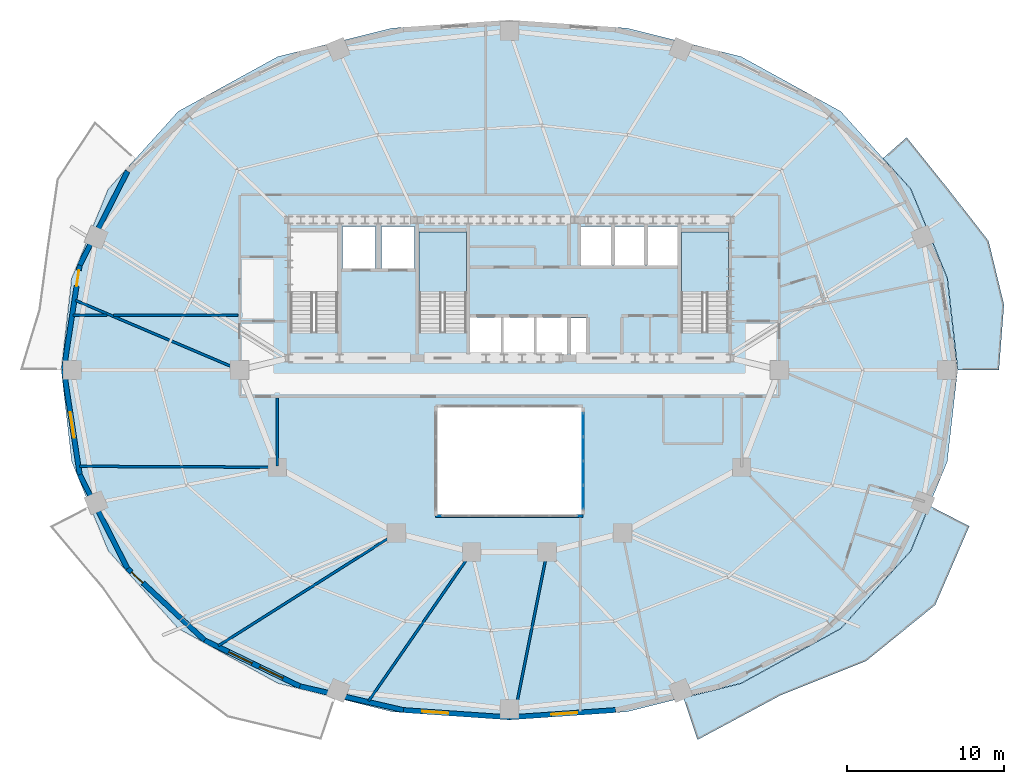
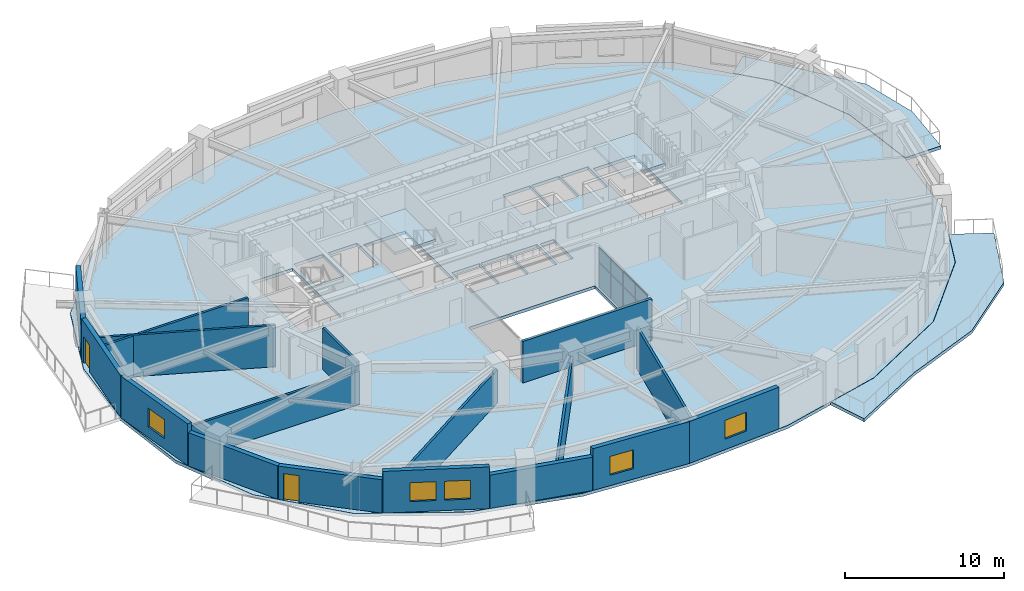
# One storey, part 6 of 12: 18 walls, 8 plates, 5 slabs, 5 windows, 2 doors, 7 openings, 3 elements without a shape of their own.
"""IFC4 building model written with IfcOpenShell, lengths in metres."""

from ifc_helpers import new_model, si_unit, direction, frame, frame_2d, origin, origin_2d, place, context, subcontext, project, spatial, polyline, rectangle, outline, extrude, material, layer, layer_set, type_object, element, fill, aggregate, save


model = new_model("IFC4")

# Units and contexts
model_context = context("Model", 3, precision=1e-05, world=origin(), true_north=direction((0.0, 1.0)))
body_context = subcontext(model_context, "Body", "Model", "MODEL_VIEW")
ifc_project = project(units=[si_unit("LENGTHUNIT", "METRE"), si_unit("AREAUNIT", "SQUARE_METRE"), si_unit("VOLUMEUNIT", "CUBIC_METRE"), si_unit("PLANEANGLEUNIT", "RADIAN"), si_unit("MASSUNIT", "GRAM", prefix="KILO")], contexts=[model_context])

# Site, building, storey
site_placement = place(None, origin())
site = spatial("IfcSite", under=ifc_project, at=site_placement, CompositionType="ELEMENT")
building_placement = place(site_placement, origin())
building = spatial("IfcBuilding", under=site, at=building_placement, Name="Haldorwick Loom Tower", CompositionType="ELEMENT")
storey_placement = place(building_placement, frame((0.0, 0.0, 113.89990234375)))
storey = spatial("IfcBuildingStorey", under=building, at=storey_placement, Name="L30", CompositionType="ELEMENT", Elevation=113.89990234375)

# Curtain wall, plates
ifc_material_1 = material(Name="Thermally Broken Anodized Aluminium Curtain Wall Framing", Category="aluminium")
curtain_wall_type = type_object("IfcCurtainWallType", Name="ARC-CW-03", PredefinedType="NOTDEFINED", material=ifc_material_1)
curtain_wall_placement = place(storey_placement, origin())
curtain_wall = element("IfcCurtainWall", 1, at=curtain_wall_placement, inside=storey, type_object=curtain_wall_type, Name="L30 Atrium Glazed Screen E", PredefinedType="NOTDEFINED")
ifc_material_2 = material(Name="Triple-Glazed Low-E Argon Insulated Glazing Unit", Category="glass")
ifc_layer_1 = layer(ifc_material_2, 0.04296875, Name="Triple-Glazed Low-E Argon Insulated Glazing Unit", Category="glass")
ifc_layer_set_1 = layer_set([ifc_layer_1], Name="Triple-Glazed Low-E Argon Insulated Glazing Unit")
plate_type = type_object("IfcPlateType", Name="ARC-CWP-03", PredefinedType="CURTAIN_PANEL", material=ifc_layer_set_1)
plate_1_placement = place(storey_placement, frame((40.699951171875, 22.508544921875, 0.066162109375), z_axis=(0.0, 0.0, 1.0), x_axis=(0.0, -1.0, 0.0)))
plate_1 = element("IfcPlate", 2, at=plate_1_placement, type_object=plate_type, Name="CW-03 panel 1.1", PredefinedType="CURTAIN_PANEL", context=body_context, shape_type="SweptSolid", body=[
    extrude(rectangle(XDim=1.450927734375, YDim=0.04296875, at=origin_2d()), origin(), (0.0, 0.0, 1.0), 1.90087890625),
])
plate_2_placement = place(storey_placement, frame((40.699951171875, 22.508544921875, 2.033203125), z_axis=(0.0, 0.0, 1.0), x_axis=(0.0, -1.0, 0.0)))
plate_2 = element("IfcPlate", 3, at=plate_2_placement, type_object=plate_type, Name="CW-03 panel 1.2", PredefinedType="CURTAIN_PANEL", context=body_context, shape_type="SweptSolid", body=[
    extrude(rectangle(XDim=1.450927734375, YDim=0.04296875, at=origin_2d()), origin(), (0.0, 0.0, 1.0), 1.111083984375),
])
plate_3_placement = place(storey_placement, frame((40.699951171875, 20.97509765625, 0.066162109375), z_axis=(0.0, 0.0, 1.0), x_axis=(0.0, -1.0, 0.0)))
plate_3 = element("IfcPlate", 4, at=plate_3_placement, type_object=plate_type, Name="CW-03 panel 2.1", PredefinedType="CURTAIN_PANEL", context=body_context, shape_type="SweptSolid", body=[
    extrude(rectangle(XDim=1.48388671875, YDim=0.04296875, at=origin_2d()), origin(), (0.0, 0.0, 1.0), 1.90087890625),
])
plate_4_placement = place(storey_placement, frame((40.699951171875, 20.97509765625, 2.033203125), z_axis=(0.0, 0.0, 1.0), x_axis=(0.0, -1.0, 0.0)))
plate_4 = element("IfcPlate", 5, at=plate_4_placement, type_object=plate_type, Name="CW-03 panel 2.2", PredefinedType="CURTAIN_PANEL", context=body_context, shape_type="SweptSolid", body=[
    extrude(rectangle(XDim=1.48388671875, YDim=0.04296875, at=origin_2d()), origin(), (0.0, 0.0, 1.0), 1.111083984375),
])
plate_5_placement = place(storey_placement, frame((40.699951171875, 19.425048828125, 0.066162109375), z_axis=(0.0, 0.0, 1.0), x_axis=(0.0, -1.0, 0.0)))
plate_5 = element("IfcPlate", 6, at=plate_5_placement, type_object=plate_type, Name="CW-03 panel 3.1", PredefinedType="CURTAIN_PANEL", context=body_context, shape_type="SweptSolid", body=[
    extrude(rectangle(XDim=1.48388671875, YDim=0.04296875, at=origin_2d()), origin(), (0.0, 0.0, 1.0), 1.90087890625),
])
plate_6_placement = place(storey_placement, frame((40.699951171875, 19.425048828125, 2.033203125), z_axis=(0.0, 0.0, 1.0), x_axis=(0.0, -1.0, 0.0)))
plate_6 = element("IfcPlate", 7, at=plate_6_placement, type_object=plate_type, Name="CW-03 panel 3.2", PredefinedType="CURTAIN_PANEL", context=body_context, shape_type="SweptSolid", body=[
    extrude(rectangle(XDim=1.48388671875, YDim=0.04296875, at=origin_2d()), origin(), (0.0, 0.0, 1.0), 1.111083984375),
])
plate_7_placement = place(storey_placement, frame((40.699951171875, 17.8916015625, 0.066162109375), z_axis=(0.0, 0.0, 1.0), x_axis=(0.0, -1.0, 0.0)))
plate_7 = element("IfcPlate", 8, at=plate_7_placement, type_object=plate_type, Name="CW-03 panel 4.1", PredefinedType="CURTAIN_PANEL", context=body_context, shape_type="SweptSolid", body=[
    extrude(rectangle(XDim=1.450927734375, YDim=0.04296875, at=origin_2d()), origin(), (0.0, 0.0, 1.0), 1.90087890625),
])
plate_8_placement = place(storey_placement, frame((40.699951171875, 17.8916015625, 2.033203125), z_axis=(0.0, 0.0, 1.0), x_axis=(0.0, -1.0, 0.0)))
plate_8 = element("IfcPlate", 9, at=plate_8_placement, type_object=plate_type, Name="CW-03 panel 4.2", PredefinedType="CURTAIN_PANEL", context=body_context, shape_type="SweptSolid", body=[
    extrude(rectangle(XDim=1.450927734375, YDim=0.04296875, at=origin_2d()), origin(), (0.0, 0.0, 1.0), 1.111083984375),
])
aggregate(curtain_wall, [plate_1, plate_2, plate_3, plate_4, plate_5, plate_6, plate_7, plate_8])

# Slabs
ifc_material_3 = material(Name="Concrete C40 (40 MPa)", Category="concrete")
ifc_layer_2 = layer(ifc_material_3, 0.239990234375, Name="Concrete C40 (40 MPa)", Category="concrete")
ifc_layer_set_2 = layer_set([ifc_layer_2], Name="Concrete C40 (40 MPa)")
slab_type_1 = type_object("IfcSlabType", Name="STR-SLB-BAL240", PredefinedType="FLOOR", material=ifc_layer_set_2)
slab_1_placement = place(storey_placement, frame((0.0, 0.0, -0.239990234375)))
element("IfcSlab", 10, at=slab_1_placement, inside=storey, type_object=slab_type_1, Name="L30 Sinusoidal Balcony Terrace BAL_SE", PredefinedType="FLOOR", context=body_context, shape_type="SweptSolid", body=[
    extrude(outline(polyline([(62.758544921875, 17.348388671875), (61.580078125, 14.468994140625), (61.579345703125, 14.4677734375), (61.578857421875, 14.466552734375), (61.578125, 14.465576171875), (61.5771484375, 14.464599609375), (57.11279296875, 9.51318359375), (57.11181640625, 9.51220703125), (57.1103515625, 9.510986328125), (57.10888671875, 9.51025390625), (50.767822265625, 6.0244140625), (50.7666015625, 6.023681640625), (50.765380859375, 6.023193359375), (50.76416015625, 6.022705078125), (47.0869140625, 5.105224609375), (47.983642578125, 2.43310546875), (53.252197265625, 5.258056640625), (58.720458984375, 7.4501953125), (63.1259765625, 11.02294921875), (65.300537109375, 16.042236328125), (62.758544921875, 17.348388671875)])), origin(), (0.0, 0.0, 1.0), 0.239990234375),
])
slab_2_placement = place(storey_placement, frame((0.0, 0.0, -0.239990234375)))
element("IfcSlab", 11, at=slab_2_placement, inside=storey, type_object=slab_type_1, Name="L30 Sinusoidal Balcony Terrace BAL_ENE", PredefinedType="FLOOR", context=body_context, shape_type="SweptSolid", body=[
    extrude(outline(polyline([(59.814208984375, 39.490966796875), (61.5771484375, 37.535400390625), (61.578125, 37.534423828125), (61.578857421875, 37.533447265625), (61.579345703125, 37.5322265625), (61.580078125, 37.531005859375), (63.90869140625, 31.841796875), (63.9091796875, 31.840576171875), (63.909423828125, 31.83935546875), (63.90966796875, 31.837890625), (64.572509765625, 26.001708984375), (64.572509765625, 26.0), (67.1875, 26.0), (67.51220703125, 30.1494140625), (66.52587890625, 34.22265625), (63.92919921875, 37.553466796875), (61.3076171875, 40.816162109375), (59.814208984375, 39.490966796875)])), origin(), (0.0, 0.0, 1.0), 0.239990234375),
])

# Stair, slab
stair_type = type_object("IfcStairType", Name="STR-STR-CORE", PredefinedType="HALF_TURN_STAIR", material=ifc_material_3)
stair_1_placement = place(storey_placement, origin())
stair_1 = element("IfcStair", 12, at=stair_1_placement, inside=storey, type_object=stair_type, Name="L30 Exit Stair ST-02", PredefinedType="HALF_TURN_STAIR")
ifc_layer_3 = layer(ifc_material_3, 0.199951171875, Name="Concrete C40 (40 MPa)", Category="concrete")
ifc_layer_set_3 = layer_set([ifc_layer_3], Name="Concrete C40 (40 MPa)")
slab_type_2 = type_object("IfcSlabType", Name="STR-SLB-LAND200", PredefinedType="LANDING", material=ifc_layer_set_3)
slab_3_placement = place(storey_placement, frame((0.0, 0.0, 1.525146484375)))
slab_3 = element("IfcSlab", 13, at=slab_3_placement, type_object=slab_type_2, Name="ST-02 landing 1", PredefinedType="LANDING", context=body_context, shape_type="SweptSolid", body=[
    extrude(outline(polyline([(49.949951171875, 30.919921875), (49.949951171875, 34.800048828125), (46.949951171875, 34.800048828125), (46.949951171875, 30.919921875), (49.949951171875, 30.919921875)])), origin(), (0.0, 0.0, 1.0), 0.199951171875),
])
aggregate(stair_1, [slab_3])

stair_2_placement = place(storey_placement, origin())
stair_2 = element("IfcStair", 14, at=stair_2_placement, inside=storey, type_object=stair_type, Name="L30 Exit Stair ST-03", PredefinedType="HALF_TURN_STAIR")
slab_4_placement = place(storey_placement, frame((0.0, 0.0, 1.525146484375)))
slab_4 = element("IfcSlab", 15, at=slab_4_placement, type_object=slab_type_2, Name="ST-03 landing 1", PredefinedType="LANDING", context=body_context, shape_type="SweptSolid", body=[
    extrude(outline(polyline([(33.25, 30.919921875), (33.25, 34.800048828125), (30.25, 34.800048828125), (30.25, 30.919921875), (33.25, 30.919921875)])), origin(), (0.0, 0.0, 1.0), 0.199951171875),
])
aggregate(stair_2, [slab_4])

# Slab
ifc_layer_4 = layer(ifc_material_3, 0.239990234375, Name="Concrete C40 (40 MPa)", Category="concrete")
ifc_layer_set_4 = layer_set([ifc_layer_4], Name="Concrete C40 (40 MPa)")
slab_type_3 = type_object("IfcSlabType", Name="STR-SLB-RES240", PredefinedType="FLOOR", material=ifc_layer_set_4)
slab_5_placement = place(storey_placement, frame((0.0, 0.0, -0.239990234375)))
element("IfcSlab", 16, at=slab_5_placement, inside=storey, type_object=slab_type_3, Name="L30 Residential Structural Floor Slab", PredefinedType="FLOOR", context=body_context, shape_type="SweptSolid", body=[
    extrude(outline(polyline([(57.101806640625, 9.523193359375), (61.566162109375, 14.474609375), (63.894775390625, 20.163818359375), (64.5576171875, 26.0), (63.894775390625, 31.836181640625), (61.566162109375, 37.525390625), (57.101806640625, 42.476806640625), (50.760498046875, 45.962646484375), (43.474365234375, 47.781005859375), (36.0, 48.29833984375), (28.525634765625, 47.781005859375), (21.239501953125, 45.962646484375), (14.898193359375, 42.476806640625), (10.433837890625, 37.525390625), (8.105224609375, 31.836181640625), (7.4423828125, 26.0), (8.105224609375, 20.163818359375), (10.433837890625, 14.474609375), (14.898193359375, 9.523193359375), (21.239501953125, 6.037353515625), (28.525634765625, 4.218994140625), (36.0, 3.70166015625), (43.474365234375, 4.218994140625), (50.760498046875, 6.037353515625), (57.101806640625, 9.523193359375)]), holes=[polyline([(31.39990234375, 16.800048828125), (31.39990234375, 23.60009765625), (40.60009765625, 23.60009765625), (40.60009765625, 16.800048828125), (31.39990234375, 16.800048828125)]), polyline([(33.5, 26.85009765625), (33.5, 29.35009765625), (35.5, 29.35009765625), (35.5, 26.85009765625), (33.5, 26.85009765625)]), polyline([(35.60009765625, 26.85009765625), (35.60009765625, 29.35009765625), (37.60009765625, 29.35009765625), (37.60009765625, 26.85009765625), (35.60009765625, 26.85009765625)]), polyline([(23.6201171875, 28.39990234375), (22.050048828125, 28.39990234375), (22.050048828125, 34.800048828125), (25.050048828125, 34.800048828125), (25.050048828125, 28.639892578125), (23.6201171875, 28.639892578125), (23.6201171875, 28.39990234375)]), polyline([(30.25, 28.39990234375), (30.25, 34.800048828125), (33.25, 34.800048828125), (33.25, 28.639892578125), (31.820068359375, 28.639892578125), (31.820068359375, 28.39990234375), (30.25, 28.39990234375)]), polyline([(25.35009765625, 32.449951171875), (25.35009765625, 35.14990234375), (27.449951171875, 35.14990234375), (27.449951171875, 32.449951171875), (25.35009765625, 32.449951171875)]), polyline([(29.949951171875, 32.449951171875), (27.85009765625, 32.449951171875), (27.85009765625, 35.14990234375), (29.949951171875, 35.14990234375), (29.949951171875, 32.449951171875)]), polyline([(37.699951171875, 26.85009765625), (37.699951171875, 29.35009765625), (39.699951171875, 29.35009765625), (39.699951171875, 26.85009765625), (37.699951171875, 26.85009765625)]), polyline([(39.89990234375, 26.89990234375), (39.89990234375, 29.300048828125), (40.89990234375, 29.300048828125), (40.89990234375, 26.89990234375), (39.89990234375, 26.89990234375)]), polyline([(46.949951171875, 28.39990234375), (46.949951171875, 34.800048828125), (49.949951171875, 34.800048828125), (49.949951171875, 28.639892578125), (48.52001953125, 28.639892578125), (48.52001953125, 28.39990234375), (46.949951171875, 28.39990234375)]), polyline([(40.550048828125, 32.64990234375), (40.550048828125, 35.14990234375), (42.550048828125, 35.14990234375), (42.550048828125, 32.64990234375), (40.550048828125, 32.64990234375)]), polyline([(42.64990234375, 32.64990234375), (42.64990234375, 35.14990234375), (44.64990234375, 35.14990234375), (44.64990234375, 32.64990234375), (42.64990234375, 32.64990234375)]), polyline([(44.75, 32.64990234375), (44.75, 35.14990234375), (46.75, 35.14990234375), (46.75, 32.64990234375), (44.75, 32.64990234375)])]), origin(), (0.0, 0.0, 1.0), 0.239990234375),
])

# Wall
ifc_material_4 = material(Name="Pressed Clay Face Brick and Insulated Masonry Backup Assembly", Category="masonry")
ifc_layer_5 = layer(ifc_material_4, 0.320068359375, Name="Pressed Clay Face Brick and Insulated Masonry Backup Assembly", Category="masonry")
ifc_layer_set_5 = layer_set([ifc_layer_5], Name="Pressed Clay Face Brick and Insulated Masonry Backup Assembly")
wall_type_1 = type_object("IfcWallType", Name="ARC-WL-EXT320", PredefinedType="STANDARD", material=ifc_layer_set_5)
wall_1_placement = place(storey_placement, frame((11.661376953125, 38.655517578125, 0.0), z_axis=(0.0, 0.0, 1.0), x_axis=(-0.453374078001, -0.89132033826, 0.0)))
element("IfcWall", 17, at=wall_1_placement, inside=storey, type_object=wall_type_1, Name="L30 Brick Pier and Spandrel Wall 11", PredefinedType="STANDARD", context=body_context, shape_type="SweptSolid", body=[
    extrude(rectangle(XDim=6.709716796875, YDim=0.320068359375, at=frame_2d((3.35498046875, 0.0))), origin(), (0.0, 0.0, 1.0), 2.569091796875),
])

# Wall, opening, door
wall_2_placement = place(storey_placement, frame((8.619384765625, 32.675048828125, 0.0), z_axis=(0.0, 0.0, 1.0), x_axis=(-0.150633288003, -0.988589708901, 0.0)))
wall_2 = element("IfcWall", 18, at=wall_2_placement, inside=storey, type_object=wall_type_1, Name="L30 Brick Pier and Spandrel Wall 12", PredefinedType="STANDARD", context=body_context, shape_type="SweptSolid", body=[
    extrude(rectangle(XDim=6.752197265625, YDim=0.320068359375, at=frame_2d((3.3759765625, 0.0))), origin(), (0.0, 0.0, 1.0), 3.210205078125),
])
opening_1_placement = place(wall_2_placement, frame((0.340087890625, 0.0, 0.0)))
opening_1 = element("IfcOpeningElement", 19, at=opening_1_placement, cuts=wall_2, Name="Opening D-BL10", PredefinedType="OPENING", context=body_context, shape_type="SweptSolid", body=[
    extrude(rectangle(XDim=1.0, YDim=2.0400390625, at=frame_2d((0.5, 1.02001953125))), frame((0.0, 0.169921875, 0.0), z_axis=(0.0, -1.0, 0.0), x_axis=(1.0, 0.0, 0.0)), (0.0, 0.0, 1.0), 0.340087890625),
])
door_type = type_object("IfcDoorType", Name="ARC-DR-BAL100", OperationType="NOTDEFINED", PredefinedType="DOOR", material=ifc_material_1)
door_1_placement = place(opening_1_placement, origin())
door_1 = element("IfcDoor", 20, at=door_1_placement, inside=storey, type_object=door_type, Name="L30 Outdoor Terrace Door SLB-L30-BAL_WNW", OperationType="SINGLE_SWING_RIGHT", OverallHeight=2.0400390625, OverallWidth=1.0, PredefinedType="DOOR", context=body_context, shape_type="SweptSolid", body=[
    extrude(rectangle(XDim=1.0, YDim=2.0400390625, at=frame_2d((0.5, 1.02001953125))), frame((0.0, 0.02490234375, 0.0), z_axis=(0.0, -1.0, 0.0), x_axis=(1.0, 0.0, 0.0)), (0.0, 0.0, 1.0), 0.050048828125),
])
fill(opening_1, door_1)

# Wall, opening, window
wall_3_placement = place(storey_placement, frame((7.602294921875, 26.0, 0.0), z_axis=(0.0, 0.0, 1.0), x_axis=(0.150633288003, -0.988589708901, 0.0)))
wall_3 = element("IfcWall", 21, at=wall_3_placement, inside=storey, type_object=wall_type_1, Name="L30 Brick Pier and Spandrel Wall 13", PredefinedType="STANDARD", context=body_context, shape_type="SweptSolid", body=[
    extrude(rectangle(XDim=6.752197265625, YDim=0.320068359375, at=frame_2d((3.3759765625, 0.0))), origin(), (0.0, 0.0, 1.0), 3.210205078125),
])
opening_2_placement = place(wall_3_placement, frame((2.730224609375, 0.0, 0.800048828125)))
opening_2 = element("IfcOpeningElement", 22, at=opening_2_placement, cuts=wall_3, Name="Opening W-01B", PredefinedType="OPENING", context=body_context, shape_type="SweptSolid", body=[
    extrude(rectangle(XDim=1.64990234375, YDim=1.449951171875, at=frame_2d((0.824951171875, 0.72509765625))), frame((0.0, 0.169921875, 0.0), z_axis=(0.0, -1.0, 0.0), x_axis=(1.0, 0.0, 0.0)), (0.0, 0.0, 1.0), 0.340087890625),
])
window_type = type_object("IfcWindowType", Name="ARC-WIN-W165", PartitioningType="SINGLE_PANEL", PredefinedType="WINDOW", material=ifc_material_2)
window_1_placement = place(opening_2_placement, origin())
window_1 = element("IfcWindow", 23, at=window_1_placement, inside=storey, type_object=window_type, Name="L30 Deep-Set Zone 7A Window 13", OverallHeight=1.449951171875, OverallWidth=1.64990234375, PartitioningType="SINGLE_PANEL", PredefinedType="WINDOW", context=body_context, shape_type="SweptSolid", body=[
    extrude(rectangle(XDim=1.64990234375, YDim=1.449951171875, at=frame_2d((0.824951171875, 0.72509765625))), frame((0.0, 0.030029296875, 0.0), z_axis=(0.0, -1.0, 0.0), x_axis=(1.0, 0.0, 0.0)), (0.0, 0.0, 1.0), 0.06005859375),
])
fill(opening_2, window_1)

# Wall
wall_4_placement = place(storey_placement, frame((8.619384765625, 19.324951171875, 0.0), z_axis=(0.0, 0.0, 1.0), x_axis=(0.453374078001, -0.89132033826, 0.0)))
element("IfcWall", 24, at=wall_4_placement, inside=storey, type_object=wall_type_1, Name="L30 Brick Pier and Spandrel Wall 14", PredefinedType="STANDARD", context=body_context, shape_type="SweptSolid", body=[
    extrude(rectangle(XDim=6.709716796875, YDim=0.320068359375, at=frame_2d((3.35498046875, 0.0))), origin(), (0.0, 0.0, 1.0), 2.569091796875),
])

# Wall, opening, door
wall_5_placement = place(storey_placement, frame((11.661376953125, 13.344482421875, 0.0), z_axis=(0.0, 0.0, 1.0), x_axis=(0.732137360086, -0.681157020052, 0.0)))
wall_5 = element("IfcWall", 25, at=wall_5_placement, inside=storey, type_object=wall_type_1, Name="L30 Brick Pier and Spandrel Wall 15", PredefinedType="STANDARD", context=body_context, shape_type="SweptSolid", body=[
    extrude(rectangle(XDim=6.709228515625, YDim=0.320068359375, at=frame_2d((3.3544921875, 0.0))), origin(), (0.0, 0.0, 1.0), 2.569091796875),
])
opening_3_placement = place(wall_5_placement, frame((0.340087890625, 0.0, 0.0)))
opening_3 = element("IfcOpeningElement", 26, at=opening_3_placement, cuts=wall_5, Name="Opening D-BL10", PredefinedType="OPENING", context=body_context, shape_type="SweptSolid", body=[
    extrude(rectangle(XDim=1.0, YDim=2.0400390625, at=frame_2d((0.5, 1.02001953125))), frame((0.0, 0.169921875, 0.0), z_axis=(0.0, -1.0, 0.0), x_axis=(1.0, 0.0, 0.0)), (0.0, 0.0, 1.0), 0.340087890625),
])
door_2_placement = place(opening_3_placement, origin())
door_2 = element("IfcDoor", 27, at=door_2_placement, inside=storey, type_object=door_type, Name="L30 Outdoor Terrace Door SLB-L30-BAL_SW", OperationType="SINGLE_SWING_LEFT", OverallHeight=2.0400390625, OverallWidth=1.0, PredefinedType="DOOR", context=body_context, shape_type="SweptSolid", body=[
    extrude(rectangle(XDim=1.0, YDim=2.0400390625, at=frame_2d((0.5, 1.02001953125))), frame((0.0, 0.02490234375, 0.0), z_axis=(0.0, -1.0, 0.0), x_axis=(1.0, 0.0, 0.0)), (0.0, 0.0, 1.0), 0.050048828125),
])
fill(opening_3, door_2)

# Wall, openings, windows
wall_6_placement = place(storey_placement, frame((16.573486328125, 8.7744140625, 0.0), z_axis=(0.0, 0.0, 1.0), x_axis=(0.900510094661, -0.434835106004, 0.0)))
wall_6 = element("IfcWall", 28, at=wall_6_placement, inside=storey, type_object=wall_type_1, Name="L30 Brick Pier and Spandrel Wall 16", PredefinedType="STANDARD", context=body_context, shape_type="SweptSolid", body=[
    extrude(rectangle(XDim=6.744873046875, YDim=0.320068359375, at=frame_2d((3.37255859375, 0.0))), origin(), (0.0, 0.0, 1.0), 3.210205078125),
])
opening_4_placement = place(wall_6_placement, frame((1.712158203125, 0.0, 0.800048828125)))
opening_4 = element("IfcOpeningElement", 29, at=opening_4_placement, cuts=wall_6, Name="Opening W-01B", PredefinedType="OPENING", context=body_context, shape_type="SweptSolid", body=[
    extrude(rectangle(XDim=1.64990234375, YDim=1.449951171875, at=frame_2d((0.824951171875, 0.72509765625))), frame((0.0, 0.169921875, 0.0), z_axis=(0.0, -1.0, 0.0), x_axis=(1.0, 0.0, 0.0)), (0.0, 0.0, 1.0), 0.340087890625),
])
opening_5_placement = place(wall_6_placement, frame((3.896484375, 0.0, 0.800048828125)))
opening_5 = element("IfcOpeningElement", 30, at=opening_5_placement, cuts=wall_6, Name="Opening W-01B", PredefinedType="OPENING", context=body_context, shape_type="SweptSolid", body=[
    extrude(rectangle(XDim=1.64990234375, YDim=1.449951171875, at=frame_2d((0.824951171875, 0.72509765625))), frame((0.0, 0.169921875, 0.0), z_axis=(0.0, -1.0, 0.0), x_axis=(1.0, 0.0, 0.0)), (0.0, 0.0, 1.0), 0.340087890625),
])
window_2_placement = place(opening_4_placement, origin())
window_2 = element("IfcWindow", 31, at=window_2_placement, inside=storey, type_object=window_type, Name="L30 Deep-Set Zone 7A Window 16", OverallHeight=1.449951171875, OverallWidth=1.64990234375, PartitioningType="SINGLE_PANEL", PredefinedType="WINDOW", context=body_context, shape_type="SweptSolid", body=[
    extrude(rectangle(XDim=1.64990234375, YDim=1.449951171875, at=frame_2d((0.824951171875, 0.72509765625))), frame((0.0, 0.030029296875, 0.0), z_axis=(0.0, -1.0, 0.0), x_axis=(1.0, 0.0, 0.0)), (0.0, 0.0, 1.0), 0.06005859375),
])
fill(opening_4, window_2)
window_3_placement = place(opening_5_placement, origin())
window_3 = element("IfcWindow", 32, at=window_3_placement, inside=storey, type_object=window_type, Name="L30 Deep-Set Zone 7A Window 16", OverallHeight=1.449951171875, OverallWidth=1.64990234375, PartitioningType="SINGLE_PANEL", PredefinedType="WINDOW", context=body_context, shape_type="SweptSolid", body=[
    extrude(rectangle(XDim=1.64990234375, YDim=1.449951171875, at=frame_2d((0.824951171875, 0.72509765625))), frame((0.0, 0.030029296875, 0.0), z_axis=(0.0, -1.0, 0.0), x_axis=(1.0, 0.0, 0.0)), (0.0, 0.0, 1.0), 0.06005859375),
])
fill(opening_5, window_3)

# Wall
wall_7_placement = place(storey_placement, frame((22.647216796875, 5.841552734375, 0.0), z_axis=(0.0, 0.0, 1.0), x_axis=(0.974584177714, -0.224021607329, 0.0)))
element("IfcWall", 33, at=wall_7_placement, inside=storey, type_object=wall_type_1, Name="L30 Brick Pier and Spandrel Wall 17", PredefinedType="STANDARD", context=body_context, shape_type="SweptSolid", body=[
    extrude(rectangle(XDim=6.767822265625, YDim=0.320068359375, at=frame_2d((3.3837890625, 0.0))), origin(), (0.0, 0.0, 1.0), 2.569091796875),
])

# Wall, opening, window
wall_8_placement = place(storey_placement, frame((29.242919921875, 4.325439453125, 0.0), z_axis=(0.0, 0.0, 1.0), x_axis=(0.997651949344, -0.068487867318, 0.0)))
wall_8 = element("IfcWall", 34, at=wall_8_placement, inside=storey, type_object=wall_type_1, Name="L30 Brick Pier and Spandrel Wall 18", PredefinedType="STANDARD", context=body_context, shape_type="SweptSolid", body=[
    extrude(rectangle(XDim=6.77294921875, YDim=0.320068359375, at=frame_2d((3.386474609375, 0.0))), origin(), (0.0, 0.0, 1.0), 3.210205078125),
])
opening_6_placement = place(wall_8_placement, frame((1.206787109375, 0.0, 0.800048828125)))
opening_6 = element("IfcOpeningElement", 35, at=opening_6_placement, cuts=wall_8, Name="Opening W-01B", PredefinedType="OPENING", context=body_context, shape_type="SweptSolid", body=[
    extrude(rectangle(XDim=1.64990234375, YDim=1.449951171875, at=frame_2d((0.824951171875, 0.72509765625))), frame((0.0, 0.169921875, 0.0), z_axis=(0.0, -1.0, 0.0), x_axis=(1.0, 0.0, 0.0)), (0.0, 0.0, 1.0), 0.340087890625),
])
window_4_placement = place(opening_6_placement, origin())
window_4 = element("IfcWindow", 36, at=window_4_placement, inside=storey, type_object=window_type, Name="L30 Deep-Set Zone 7A Window 18", OverallHeight=1.449951171875, OverallWidth=1.64990234375, PartitioningType="SINGLE_PANEL", PredefinedType="WINDOW", context=body_context, shape_type="SweptSolid", body=[
    extrude(rectangle(XDim=1.64990234375, YDim=1.449951171875, at=frame_2d((0.824951171875, 0.72509765625))), frame((0.0, 0.030029296875, 0.0), z_axis=(0.0, -1.0, 0.0), x_axis=(1.0, 0.0, 0.0)), (0.0, 0.0, 1.0), 0.06005859375),
])
fill(opening_6, window_4)

wall_9_placement = place(storey_placement, frame((36.0, 3.861572265625, 0.0), z_axis=(0.0, 0.0, 1.0), x_axis=(0.997651949344, 0.068487867318, 0.0)))
wall_9 = element("IfcWall", 37, at=wall_9_placement, inside=storey, type_object=wall_type_1, Name="L30 Brick Pier and Spandrel Wall 19", PredefinedType="STANDARD", context=body_context, shape_type="SweptSolid", body=[
    extrude(rectangle(XDim=6.77294921875, YDim=0.320068359375, at=frame_2d((3.386474609375, 0.0))), origin(), (0.0, 0.0, 1.0), 3.210205078125),
])
opening_7_placement = place(wall_9_placement, frame((2.681640625, 0.0, 0.800048828125)))
opening_7 = element("IfcOpeningElement", 38, at=opening_7_placement, cuts=wall_9, Name="Opening W-01B", PredefinedType="OPENING", context=body_context, shape_type="SweptSolid", body=[
    extrude(rectangle(XDim=1.64990234375, YDim=1.449951171875, at=frame_2d((0.824951171875, 0.72509765625))), frame((0.0, 0.169921875, 0.0), z_axis=(0.0, -1.0, 0.0), x_axis=(1.0, 0.0, 0.0)), (0.0, 0.0, 1.0), 0.340087890625),
])
window_5_placement = place(opening_7_placement, origin())
window_5 = element("IfcWindow", 39, at=window_5_placement, inside=storey, type_object=window_type, Name="L30 Deep-Set Zone 7A Window 19", OverallHeight=1.449951171875, OverallWidth=1.64990234375, PartitioningType="SINGLE_PANEL", PredefinedType="WINDOW", context=body_context, shape_type="SweptSolid", body=[
    extrude(rectangle(XDim=1.64990234375, YDim=1.449951171875, at=frame_2d((0.824951171875, 0.72509765625))), frame((0.0, 0.030029296875, 0.0), z_axis=(0.0, -1.0, 0.0), x_axis=(1.0, 0.0, 0.0)), (0.0, 0.0, 1.0), 0.06005859375),
])
fill(opening_7, window_5)

# Walls
ifc_material_5 = material(Name="Fire-Rated Type X Gypsum Stud Assembly EI 60")
ifc_layer_6 = layer(ifc_material_5, 0.159912109375, Name="Fire-Rated Type X Gypsum Stud Assembly EI 60")
ifc_layer_set_6 = layer_set([ifc_layer_6], Name="Fire-Rated Type X Gypsum Stud Assembly EI 60")
wall_type_2 = type_object("IfcWallType", Name="ARC-WL-FIRE160", PredefinedType="PARTITIONING", material=ifc_layer_set_6)
wall_10_placement = place(storey_placement, frame((38.39990234375, 14.39990234375, 0.0), z_axis=(0.0, 0.0, 1.0), x_axis=(-0.196111730348, -0.980581556639, 0.0)))
element("IfcWall", 40, at=wall_10_placement, inside=storey, type_object=wall_type_2, Name="L30 Residential Fire Partition L30-ICR-07", PredefinedType="PARTITIONING", context=body_context, shape_type="SweptSolid", body=[
    extrude(rectangle(XDim=10.658935546875, YDim=0.159912109375, at=frame_2d((5.32958984375, 0.0))), origin(), (0.0, 0.0, 1.0), 3.195068359375),
])
wall_11_placement = place(storey_placement, frame((33.60009765625, 14.39990234375, 0.0), z_axis=(0.0, 0.0, 1.0), x_axis=(-0.569145134798, -0.822237079884, 0.0)))
element("IfcWall", 41, at=wall_11_placement, inside=storey, type_object=wall_type_2, Name="L30 Residential Fire Partition L30-ICR-09", PredefinedType="PARTITIONING", context=body_context, shape_type="SweptSolid", body=[
    extrude(rectangle(XDim=11.551513671875, YDim=0.159912109375, at=frame_2d((5.77587890625, 0.0))), origin(), (0.0, 0.0, 1.0), 2.568115234375),
])
wall_12_placement = place(storey_placement, frame((28.800048828125, 15.60009765625, 0.0), z_axis=(0.0, 0.0, 1.0), x_axis=(-0.845215765485, -0.53442521439, 0.0)))
element("IfcWall", 42, at=wall_12_placement, inside=storey, type_object=wall_type_2, Name="L30 Residential Fire Partition L30-ICR-11", PredefinedType="PARTITIONING", context=body_context, shape_type="SweptSolid", body=[
    extrude(rectangle(XDim=13.428955078125, YDim=0.159912109375, at=frame_2d((6.71435546875, 0.0))), origin(), (0.0, 0.0, 1.0), 2.568115234375),
])
wall_13_placement = place(storey_placement, frame((21.199951171875, 19.800048828125, 0.0), z_axis=(0.0, 0.0, 1.0), x_axis=(-0.999988908841, 0.004709797745, 0.0)))
element("IfcWall", 43, at=wall_13_placement, inside=storey, type_object=wall_type_2, Name="L30 Residential Fire Partition L30-ICR-13", PredefinedType="PARTITIONING", context=body_context, shape_type="SweptSolid", body=[
    extrude(rectangle(XDim=12.596435546875, YDim=0.159912109375, at=frame_2d((6.29833984375, 0.0))), origin(), (0.0, 0.0, 1.0), 2.568115234375),
])
wall_14_placement = place(storey_placement, frame((18.717041015625, 26.03515625, 0.0), z_axis=(0.0, 0.0, 1.0), x_axis=(-0.920498907927, 0.390745134973, 0.0)))
element("IfcWall", 44, at=wall_14_placement, inside=storey, type_object=wall_type_2, Name="L30 Residential Fire Partition L30-ICR-14", PredefinedType="PARTITIONING", context=body_context, shape_type="SweptSolid", body=[
    extrude(rectangle(XDim=11.268310546875, YDim=0.159912109375, at=frame_2d((5.63427734375, 0.0))), origin(), (0.0, 0.0, 1.0), 3.195068359375),
])
wall_15_placement = place(storey_placement, frame((21.199951171875, 24.217041015625, 0.0), z_axis=(0.0, 0.0, 1.0), x_axis=(0.0, -1.0, 0.0)))
element("IfcWall", 45, at=wall_15_placement, inside=storey, type_object=wall_type_2, Name="L30 Residential Fire Partition L30-ICA-12", PredefinedType="PARTITIONING", context=body_context, shape_type="SweptSolid", body=[
    extrude(rectangle(XDim=4.333984375, YDim=0.159912109375, at=frame_2d((2.1669921875, 0.0))), origin(), (0.0, 0.0, 1.0), 3.195068359375),
])
wall_16_placement = place(storey_placement, frame((8.201416015625, 29.5, 0.0), z_axis=(0.0, 0.0, 1.0), x_axis=(1.0, 0.0, 0.0)))
element("IfcWall", 46, at=wall_16_placement, inside=storey, type_object=wall_type_2, Name="L30 Residential Fire Partition L30-FLW-19", PredefinedType="PARTITIONING", context=body_context, shape_type="SweptSolid", body=[
    extrude(rectangle(XDim=2.140869140625, YDim=0.159912109375, at=frame_2d((1.0703125, 0.0))), origin(), (0.0, 0.0, 1.0), 3.195068359375),
])
wall_17_placement = place(storey_placement, frame((10.76708984375, 29.5, 0.0), z_axis=(0.0, 0.0, 1.0), x_axis=(1.0, 0.0, 0.0)))
element("IfcWall", 47, at=wall_17_placement, inside=storey, type_object=wall_type_2, Name="L30 Residential Fire Partition L30-FLW-19", PredefinedType="PARTITIONING", context=body_context, shape_type="SweptSolid", body=[
    extrude(rectangle(XDim=7.949951171875, YDim=0.159912109375, at=frame_2d((3.97509765625, 0.0))), origin(), (0.0, 0.0, 1.0), 3.195068359375),
])
ifc_material_6 = material(Name="Fire-Rated Type X Gypsum Stud Assembly EI 120")
ifc_layer_7 = layer(ifc_material_6, 0.199951171875, Name="Fire-Rated Type X Gypsum Stud Assembly EI 120")
ifc_layer_set_7 = layer_set([ifc_layer_7], Name="Fire-Rated Type X Gypsum Stud Assembly EI 120")
wall_type_3 = type_object("IfcWallType", Name="ARC-WL-FIRE200", PredefinedType="PARTITIONING", material=ifc_layer_set_7)
wall_18_placement = place(storey_placement, frame((40.699951171875, 16.699951171875, 0.0), z_axis=(0.0, 0.0, 1.0), x_axis=(-1.0, 0.0, 0.0)))
element("IfcWall", 48, at=wall_18_placement, inside=storey, type_object=wall_type_3, Name="L30 Atrium Fire Enclosure Wall S", PredefinedType="PARTITIONING", context=body_context, shape_type="SweptSolid", body=[
    extrude(rectangle(XDim=9.39990234375, YDim=0.199951171875, at=frame_2d((4.699951171875, 0.0))), origin(), (0.0, 0.0, 1.0), 3.195068359375),
])

save(model, "model.ifc")
